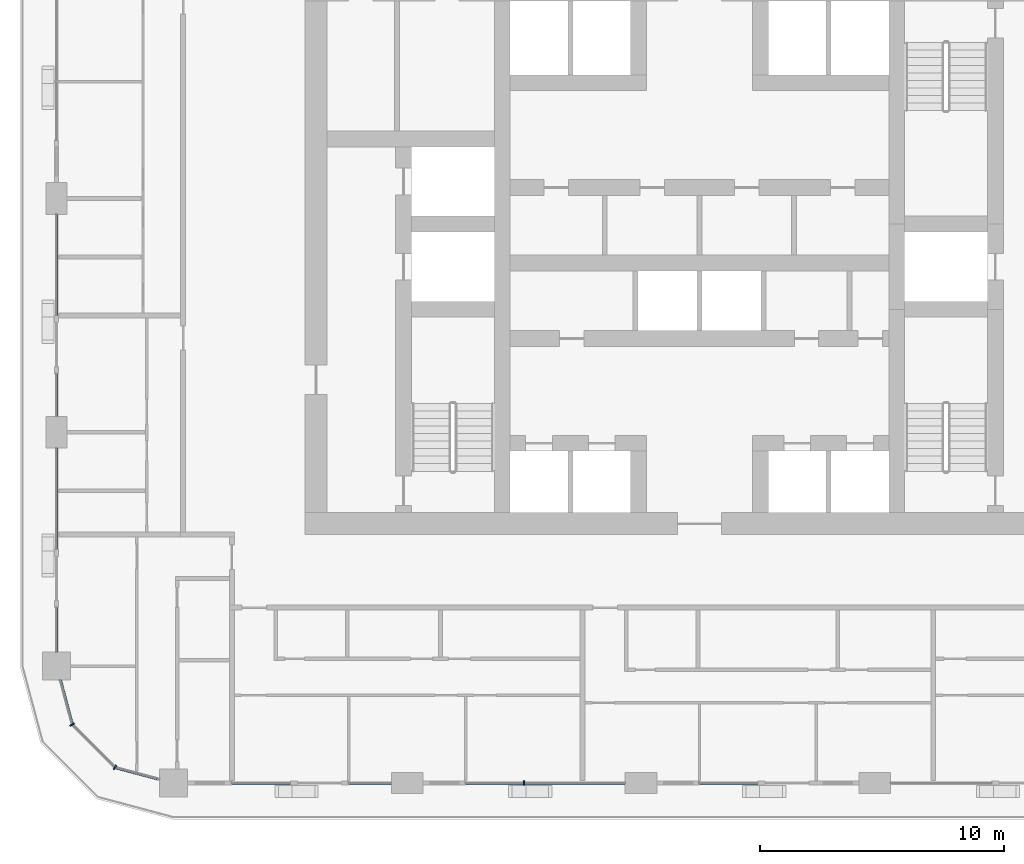
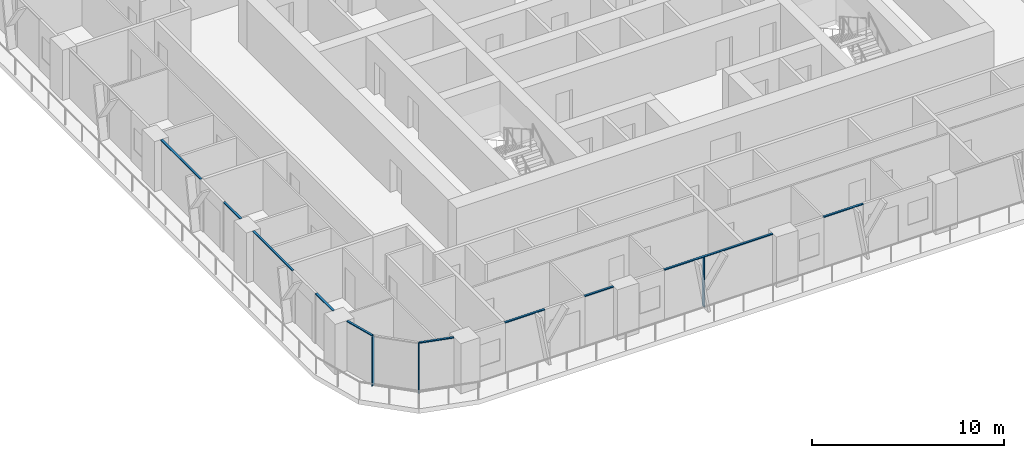
# One storey, part 2 of 22: 13 members, 6 elements without a shape of their own.
"""IFC4 building model written with IfcOpenShell, lengths in metres."""

from ifc_helpers import new_model, si_unit, direction, frame, origin, origin_2d, place, context, subcontext, project, spatial, rectangle, extrude, material, layer, layer_set, material_profile, profile_set, type_object, element, aggregate, save


model = new_model("IFC4")

# Units and contexts
model_context = context("Model", 3, precision=1e-05, world=origin(), true_north=direction((0.0, 1.0)))
body_context = subcontext(model_context, "Body", "Model", "MODEL_VIEW")
ifc_project = project(units=[si_unit("LENGTHUNIT", "METRE"), si_unit("AREAUNIT", "SQUARE_METRE"), si_unit("VOLUMEUNIT", "CUBIC_METRE"), si_unit("PLANEANGLEUNIT", "RADIAN"), si_unit("MASSUNIT", "GRAM", prefix="KILO")], contexts=[model_context])

# Site, building, storey
site_placement = place(None, origin())
site = spatial("IfcSite", under=ifc_project, at=site_placement, CompositionType="ELEMENT")
building_placement = place(site_placement, origin())
building = spatial("IfcBuilding", under=site, at=building_placement, Name="Madar Terraces", CompositionType="ELEMENT")
storey_placement = place(building_placement, frame((0.0, 0.0, 103.199951171875)))
storey = spatial("IfcBuildingStorey", under=building, at=storey_placement, Name="L26", CompositionType="ELEMENT", Elevation=103.199951171875)

# Curtain wall, member
ifc_material_1 = material(Name="Glass, ceramic frit dark grey, with black aluminium frame", Category="aluminium")
ifc_layer = layer(ifc_material_1, 0.199951171875)
ifc_layer_set = layer_set([ifc_layer], Name="Facade curtain wall, fritted glass")
curtain_wall_type = type_object("IfcCurtainWallType", Name="Facade curtain wall, fritted glass", PredefinedType="NOTDEFINED", material=ifc_layer_set)
curtain_wall_1_placement = place(storey_placement, origin())
curtain_wall_1 = element("IfcCurtainWall", 1, at=curtain_wall_1_placement, inside=storey, type_object=curtain_wall_type, Name="Outer skin curtain wall south bay 2", PredefinedType="NOTDEFINED")
ifc_material_2 = material(Name="Aluminium, black anodised", Category="aluminium")
ifc_material_profile_1 = material_profile(ifc_material_2, rectangle(XDim=0.199951171875, YDim=0.06005859375, at=origin_2d()), Name="Facade mullion 60x200")
ifc_profile_set_1 = profile_set([ifc_material_profile_1], Name="Aluminium, black anodised")
member_type_1 = type_object("IfcMemberType", Name="Facade mullion 60x200", PredefinedType="MULLION", material=ifc_profile_set_1)
member_1_placement = place(storey_placement, frame((24.0, 4.800048828125, 0.0), z_axis=(0.0, 0.0, 1.0), x_axis=(0.0, 1.0, 0.0)))
member_1 = element("IfcMember", 2, at=member_1_placement, type_object=member_type_1, Name="Mullion 1", PredefinedType="MULLION", context=body_context, shape_type="SweptSolid", body=[
    extrude(rectangle(XDim=0.199951171875, YDim=0.06005859375, at=origin_2d()), origin(), (0.0, 0.0, 1.0), 3.14013671875),
])

# Curtain wall, members
curtain_wall_2_placement = place(storey_placement, origin())
curtain_wall_2 = element("IfcCurtainWall", 3, at=curtain_wall_2_placement, inside=storey, type_object=curtain_wall_type, Name="Outer skin curtain wall south-west corner", PredefinedType="NOTDEFINED")
member_2_placement = place(storey_placement, frame((5.443115234375, 7.199951171875, 0.0), z_axis=(0.0, 0.0, 1.0), x_axis=(0.866025409797, 0.499999989586, 0.0)))
member_2 = element("IfcMember", 4, at=member_2_placement, type_object=member_type_1, Name="Mullion 1", PredefinedType="MULLION", context=body_context, shape_type="SweptSolid", body=[
    extrude(rectangle(XDim=0.199951171875, YDim=0.06005859375, at=origin_2d()), origin(), (0.0, 0.0, 1.0), 3.14013671875),
])
member_3_placement = place(storey_placement, frame((7.199951171875, 5.443115234375, 0.0), z_axis=(0.0, 0.0, 1.0), x_axis=(0.499999989586, 0.866025409797, 0.0)))
member_3 = element("IfcMember", 5, at=member_3_placement, type_object=member_type_1, Name="Mullion 2", PredefinedType="MULLION", context=body_context, shape_type="SweptSolid", body=[
    extrude(rectangle(XDim=0.199951171875, YDim=0.06005859375, at=origin_2d()), origin(), (0.0, 0.0, 1.0), 3.14013671875),
])

curtain_wall_3_placement = place(storey_placement, origin())
curtain_wall_3 = element("IfcCurtainWall", 6, at=curtain_wall_3_placement, inside=storey, type_object=curtain_wall_type, Name="Outer skin curtain wall south bay 1", PredefinedType="NOTDEFINED")
ifc_material_3 = material(Name="Aluminium, black anodised", Category="aluminium")
ifc_material_profile_2 = material_profile(ifc_material_3, rectangle(XDim=0.1201171875, YDim=0.06005859375, at=origin_2d()), Name="Facade transom 60x120")
ifc_profile_set_2 = profile_set([ifc_material_profile_2], Name="Aluminium, black anodised")
member_type_2 = type_object("IfcMemberType", Name="Facade transom 60x120", PredefinedType="USERDEFINED", material=ifc_profile_set_2)
member_4_placement = place(storey_placement, frame((12.0, 4.800048828125, 3.170166015625), z_axis=(1.0, 0.0, 0.0), x_axis=(0.0, 1.0, 0.0)))
member_4 = element("IfcMember", 7, at=member_4_placement, type_object=member_type_2, Name="Transom 1", ObjectType="TRANSOM", PredefinedType="USERDEFINED", context=body_context, shape_type="SweptSolid", body=[
    extrude(rectangle(XDim=0.1201171875, YDim=0.06005859375, at=origin_2d()), origin(), (0.0, 0.0, 1.0), 2.39990234375),
])
member_5_placement = place(storey_placement, frame((16.800048828125, 4.800048828125, 3.170166015625), z_axis=(1.0, 0.0, 0.0), x_axis=(0.0, 1.0, 0.0)))
member_5 = element("IfcMember", 8, at=member_5_placement, type_object=member_type_2, Name="Transom 2", ObjectType="TRANSOM", PredefinedType="USERDEFINED", context=body_context, shape_type="SweptSolid", body=[
    extrude(rectangle(XDim=0.1201171875, YDim=0.06005859375, at=origin_2d()), origin(), (0.0, 0.0, 1.0), 1.75),
])
aggregate(curtain_wall_3, [member_4, member_5])

# Member
member_6_placement = place(storey_placement, frame((21.60009765625, 4.800048828125, 3.170166015625), z_axis=(1.0, 0.0, 0.0), x_axis=(0.0, 1.0, 0.0)))
member_6 = element("IfcMember", 9, at=member_6_placement, type_object=member_type_2, Name="Transom 1", ObjectType="TRANSOM", PredefinedType="USERDEFINED", context=body_context, shape_type="SweptSolid", body=[
    extrude(rectangle(XDim=0.1201171875, YDim=0.06005859375, at=origin_2d()), origin(), (0.0, 0.0, 1.0), 6.5498046875),
])

aggregate(curtain_wall_1, [member_1, member_6])

# Curtain wall, member
curtain_wall_4_placement = place(storey_placement, origin())
curtain_wall_4 = element("IfcCurtainWall", 10, at=curtain_wall_4_placement, inside=storey, type_object=curtain_wall_type, Name="Outer skin curtain wall south bay 3", PredefinedType="NOTDEFINED")
member_7_placement = place(storey_placement, frame((31.199951171875, 4.800048828125, 3.170166015625), z_axis=(1.0, 0.0, 0.0), x_axis=(0.0, 1.0, 0.0)))
member_7 = element("IfcMember", 11, at=member_7_placement, type_object=member_type_2, Name="Transom 1", ObjectType="TRANSOM", PredefinedType="USERDEFINED", context=body_context, shape_type="SweptSolid", body=[
    extrude(rectangle(XDim=0.1201171875, YDim=0.06005859375, at=origin_2d()), origin(), (0.0, 0.0, 1.0), 2.400146484375),
])
aggregate(curtain_wall_4, [member_7])

# Curtain wall, members
curtain_wall_5_placement = place(storey_placement, origin())
curtain_wall_5 = element("IfcCurtainWall", 12, at=curtain_wall_5_placement, inside=storey, type_object=curtain_wall_type, Name="Outer skin curtain wall west bay 3", PredefinedType="NOTDEFINED")
member_8_placement = place(storey_placement, frame((4.800048828125, 28.14990234375, 3.170166015625), z_axis=(0.0, -1.0, 0.0), x_axis=(1.0, 0.0, 0.0)))
member_8 = element("IfcMember", 13, at=member_8_placement, type_object=member_type_2, Name="Transom 1", ObjectType="TRANSOM", PredefinedType="USERDEFINED", context=body_context, shape_type="SweptSolid", body=[
    extrude(rectangle(XDim=0.1201171875, YDim=0.06005859375, at=origin_2d()), origin(), (0.0, 0.0, 1.0), 4.14990234375),
])
member_9_placement = place(storey_placement, frame((4.800048828125, 21.60009765625, 3.170166015625), z_axis=(0.0, -1.0, 0.0), x_axis=(1.0, 0.0, 0.0)))
member_9 = element("IfcMember", 14, at=member_9_placement, type_object=member_type_2, Name="Transom 2", ObjectType="TRANSOM", PredefinedType="USERDEFINED", context=body_context, shape_type="SweptSolid", body=[
    extrude(rectangle(XDim=0.1201171875, YDim=0.06005859375, at=origin_2d()), origin(), (0.0, 0.0, 1.0), 1.75),
])
aggregate(curtain_wall_5, [member_8, member_9])

curtain_wall_6_placement = place(storey_placement, origin())
curtain_wall_6 = element("IfcCurtainWall", 15, at=curtain_wall_6_placement, inside=storey, type_object=curtain_wall_type, Name="Outer skin curtain wall west bay 4", PredefinedType="NOTDEFINED")
member_10_placement = place(storey_placement, frame((4.800048828125, 18.550048828125, 3.170166015625), z_axis=(0.0, -1.0, 0.0), x_axis=(1.0, 0.0, 0.0)))
member_10 = element("IfcMember", 16, at=member_10_placement, type_object=member_type_2, Name="Transom 1", ObjectType="TRANSOM", PredefinedType="USERDEFINED", context=body_context, shape_type="SweptSolid", body=[
    extrude(rectangle(XDim=0.1201171875, YDim=0.06005859375, at=origin_2d()), origin(), (0.0, 0.0, 1.0), 4.150146484375),
])
member_11_placement = place(storey_placement, frame((4.800048828125, 12.0, 3.170166015625), z_axis=(0.0, -1.0, 0.0), x_axis=(1.0, 0.0, 0.0)))
member_11 = element("IfcMember", 17, at=member_11_placement, type_object=member_type_2, Name="Transom 2", ObjectType="TRANSOM", PredefinedType="USERDEFINED", context=body_context, shape_type="SweptSolid", body=[
    extrude(rectangle(XDim=0.1201171875, YDim=0.06005859375, at=origin_2d()), origin(), (0.0, 0.0, 1.0), 1.824951171875),
])
aggregate(curtain_wall_6, [member_10, member_11])

# Member
member_12_placement = place(storey_placement, frame((4.9541015625, 9.02490234375, 3.170166015625), z_axis=(0.258814847786, -0.965926950947, 0.0), x_axis=(0.965926950947, 0.258814847786, 0.0)))
member_12 = element("IfcMember", 18, at=member_12_placement, type_object=member_type_2, Name="Transom 1", ObjectType="TRANSOM", PredefinedType="USERDEFINED", context=body_context, shape_type="SweptSolid", body=[
    extrude(rectangle(XDim=0.1201171875, YDim=0.06005859375, at=origin_2d()), origin(), (0.0, 0.0, 1.0), 1.859130859375),
])

member_13_placement = place(storey_placement, frame((7.22900390625, 5.435302734375, 3.170166015625), z_axis=(0.965926950947, -0.258814847786, 0.0), x_axis=(0.258814847786, 0.965926950947, 0.0)))
member_13 = element("IfcMember", 19, at=member_13_placement, type_object=member_type_2, Name="Transom 3", ObjectType="TRANSOM", PredefinedType="USERDEFINED", context=body_context, shape_type="SweptSolid", body=[
    extrude(rectangle(XDim=0.1201171875, YDim=0.06005859375, at=origin_2d()), origin(), (0.0, 0.0, 1.0), 1.859130859375),
])

aggregate(curtain_wall_2, [member_2, member_12, member_3, member_13])

save(model, "model.ifc")
